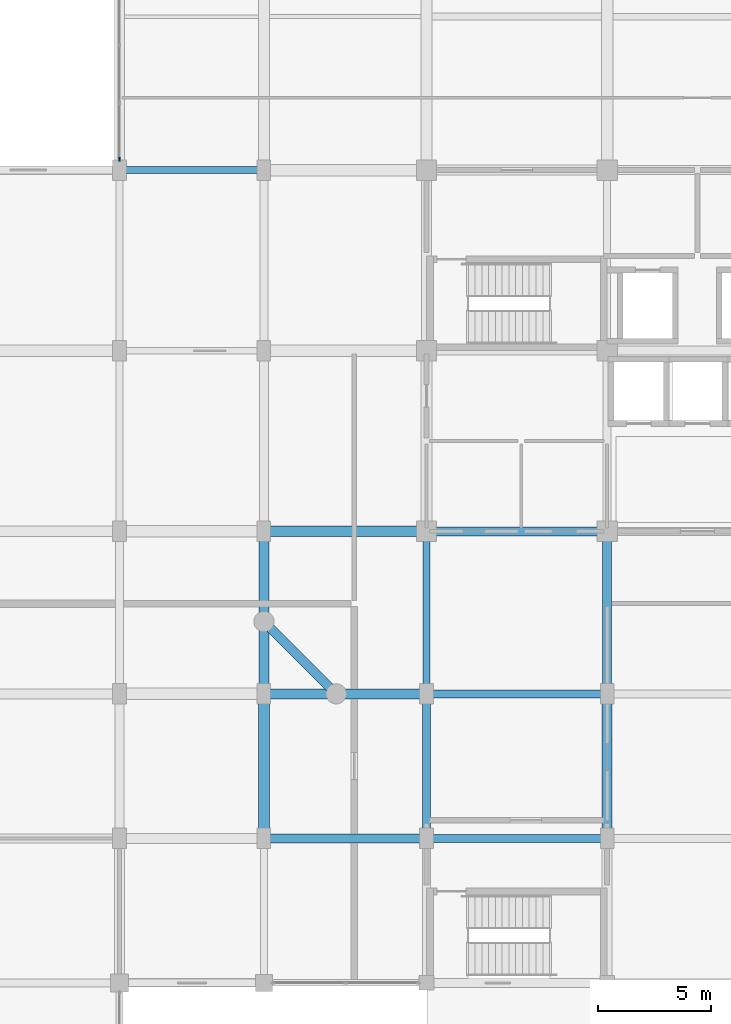
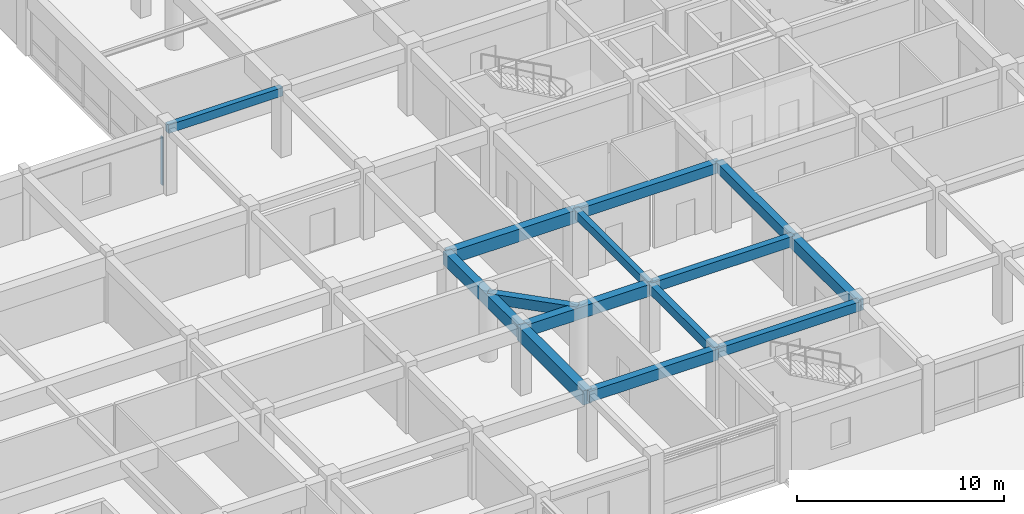
# One storey, part 12 of 35: 14 beams, 1 member, 1 element without a shape of its own.
"""IFC4 building model written with IfcOpenShell, lengths in metres."""

from ifc_helpers import new_model, si_unit, direction, frame, origin, origin_2d, place, context, subcontext, project, spatial, rectangle, extrude, material, material_profile, profile_set, type_object, element, aggregate, save


model = new_model("IFC4")

# Units and contexts
model_context = context("Model", 3, precision=1e-05, world=origin(), true_north=direction((0.0, 1.0)))
body_context = subcontext(model_context, "Body", "Model", "MODEL_VIEW")
ifc_project = project(units=[si_unit("LENGTHUNIT", "METRE"), si_unit("AREAUNIT", "SQUARE_METRE"), si_unit("VOLUMEUNIT", "CUBIC_METRE"), si_unit("PLANEANGLEUNIT", "RADIAN"), si_unit("MASSUNIT", "GRAM", prefix="KILO")], contexts=[model_context])

# Site, building, storey
site_placement = place(None, origin())
site = spatial("IfcSite", under=ifc_project, at=site_placement, CompositionType="ELEMENT")
building_placement = place(site_placement, origin())
building = spatial("IfcBuilding", under=site, at=building_placement, Name="Vellmiral Cinema and Media Centre", CompositionType="ELEMENT")
storey_placement = place(building_placement, frame((0.0, 0.0, 15.60009765625)))
storey = spatial("IfcBuildingStorey", under=building, at=storey_placement, Name="L03", CompositionType="ELEMENT", Elevation=15.60009765625)

# Beams
ifc_material_1 = material(Name="Concrete C40/50", Category="concrete")
ifc_material_profile_1 = material_profile(ifc_material_1, rectangle(XDim=0.300048828125, YDim=0.5, at=origin_2d()), Name="RC 300x500")
ifc_profile_set_1 = profile_set([ifc_material_profile_1], Name="Concrete C40/50")
beam_type_1 = type_object("IfcBeamType", Name="BM-RC-300x500", PredefinedType="BEAM", material=ifc_profile_set_1)
beam_1_placement = place(storey_placement, frame((110.39990234375, 95.199951171875, 3.64501953125), z_axis=(1.0, 0.0, 0.0), x_axis=(0.0, 1.0, 0.0)))
element("IfcBeam", 1, at=beam_1_placement, inside=storey, type_object=beam_type_1, Name="Grid Beam L03-X059", PredefinedType="BEAM", context=body_context, shape_type="SweptSolid", body=[
    extrude(rectangle(XDim=0.300048828125, YDim=0.5, at=origin_2d()), origin(), (0.0, 0.0, 1.0), 6.400146484375),
])
beam_2_placement = place(storey_placement, frame((124.0, 72.0, 3.64501953125), z_axis=(0.0, 1.0, 0.0), x_axis=(-1.0, 0.0, 0.0)))
element("IfcBeam", 2, at=beam_2_placement, inside=storey, type_object=beam_type_1, Name="Grid Beam L03-Y113", PredefinedType="BEAM", context=body_context, shape_type="SweptSolid", body=[
    extrude(rectangle(XDim=0.300048828125, YDim=0.5, at=origin_2d()), origin(), (0.0, 0.0, 1.0), 7.199951171875),
])
ifc_material_2 = material(Name="Concrete C40/50", Category="concrete")
ifc_material_profile_2 = material_profile(ifc_material_2, rectangle(XDim=0.35009765625, YDim=0.550048828125, at=origin_2d()), Name="RC 350x550")
ifc_profile_set_2 = profile_set([ifc_material_profile_2], Name="Concrete C40/50")
beam_type_2 = type_object("IfcBeamType", Name="BM-RC-350x550", PredefinedType="BEAM", material=ifc_profile_set_2)
beam_3_placement = place(storey_placement, frame((124.0, 65.60009765625, 3.619873046875), z_axis=(1.0, 0.0, 0.0), x_axis=(0.0, 1.0, 0.0)))
element("IfcBeam", 3, at=beam_3_placement, inside=storey, type_object=beam_type_2, Name="Grid Beam L03-X021", PredefinedType="BEAM", context=body_context, shape_type="SweptSolid", body=[
    extrude(rectangle(XDim=0.35009765625, YDim=0.550048828125, at=origin_2d()), origin(), (0.0, 0.0, 1.0), 8.0),
])
beam_4_placement = place(storey_placement, frame((124.0, 65.60009765625, 3.619873046875), z_axis=(0.0, 1.0, 0.0), x_axis=(-1.0, 0.0, 0.0)))
element("IfcBeam", 4, at=beam_4_placement, inside=storey, type_object=beam_type_2, Name="Grid Beam L03-Y112", PredefinedType="BEAM", context=body_context, shape_type="SweptSolid", body=[
    extrude(rectangle(XDim=0.35009765625, YDim=0.550048828125, at=origin_2d()), origin(), (0.0, 0.0, 1.0), 6.39990234375),
])
ifc_material_3 = material(Name="Concrete C40/50", Category="concrete")
ifc_material_profile_3 = material_profile(ifc_material_3, rectangle(XDim=0.35009765625, YDim=0.60009765625, at=origin_2d()), Name="RC 350x600")
ifc_profile_set_3 = profile_set([ifc_material_profile_3], Name="Concrete C40/50")
beam_type_3 = type_object("IfcBeamType", Name="BM-RC-350x600", PredefinedType="BEAM", material=ifc_profile_set_3)
beam_5_placement = place(storey_placement, frame((124.0, 72.0, 3.594970703125), z_axis=(1.0, 0.0, 0.0), x_axis=(0.0, 1.0, 0.0)))
element("IfcBeam", 5, at=beam_5_placement, inside=storey, type_object=beam_type_3, Name="Grid Beam L03-X031", PredefinedType="BEAM", context=body_context, shape_type="SweptSolid", body=[
    extrude(rectangle(XDim=0.35009765625, YDim=0.60009765625, at=origin_2d()), origin(), (0.0, 0.0, 1.0), 8.0),
])
ifc_material_4 = material(Name="Concrete C40/50", Category="concrete")
ifc_material_profile_4 = material_profile(ifc_material_4, rectangle(XDim=0.39990234375, YDim=0.60009765625, at=origin_2d()), Name="RC 400x600")
ifc_profile_set_4 = profile_set([ifc_material_profile_4], Name="Concrete C40/50")
beam_type_4 = type_object("IfcBeamType", Name="BM-RC-400x600", PredefinedType="BEAM", material=ifc_profile_set_4)
beam_6_placement = place(storey_placement, frame((124.0, 79.199951171875, 3.594970703125), z_axis=(1.0, 0.0, 0.0), x_axis=(0.0, 1.0, 0.0)))
element("IfcBeam", 6, at=beam_6_placement, inside=storey, type_object=beam_type_4, Name="Grid Beam L03-X041", PredefinedType="BEAM", context=body_context, shape_type="SweptSolid", body=[
    extrude(rectangle(XDim=0.39990234375, YDim=0.60009765625, at=origin_2d()), origin(), (0.0, 0.0, 1.0), 8.0),
])
beam_7_placement = place(storey_placement, frame((132.0, 72.0, 3.594970703125), z_axis=(0.0, 1.0, 0.0), x_axis=(-1.0, 0.0, 0.0)))
element("IfcBeam", 7, at=beam_7_placement, inside=storey, type_object=beam_type_4, Name="Grid Beam L03-Y120", PredefinedType="BEAM", context=body_context, shape_type="SweptSolid", body=[
    extrude(rectangle(XDim=0.39990234375, YDim=0.60009765625, at=origin_2d()), origin(), (0.0, 0.0, 1.0), 7.199951171875),
])
ifc_material_5 = material(Name="Concrete C40/50", Category="concrete")
ifc_material_profile_5 = material_profile(ifc_material_5, rectangle(XDim=0.39990234375, YDim=0.64990234375, at=origin_2d()), Name="RC 400x650")
ifc_profile_set_5 = profile_set([ifc_material_profile_5], Name="Concrete C40/50")
beam_type_5 = type_object("IfcBeamType", Name="BM-RC-400x650", PredefinedType="BEAM", material=ifc_profile_set_5)
beam_8_placement = place(storey_placement, frame((116.800048828125, 65.60009765625, 3.56982421875), z_axis=(1.0, 0.0, 0.0), x_axis=(0.0, 1.0, 0.0)))
element("IfcBeam", 8, at=beam_8_placement, inside=storey, type_object=beam_type_5, Name="Grid Beam L03-X020", PredefinedType="BEAM", context=body_context, shape_type="SweptSolid", body=[
    extrude(rectangle(XDim=0.39990234375, YDim=0.64990234375, at=origin_2d()), origin(), (0.0, 0.0, 1.0), 7.199951171875),
])
ifc_material_6 = material(Name="Concrete C40/50", Category="concrete")
ifc_material_profile_6 = material_profile(ifc_material_6, rectangle(XDim=0.449951171875, YDim=0.699951171875, at=origin_2d()), Name="RC 450x700")
ifc_profile_set_6 = profile_set([ifc_material_profile_6], Name="Concrete C40/50")
beam_type_6 = type_object("IfcBeamType", Name="BM-RC-450x700", PredefinedType="BEAM", material=ifc_profile_set_6)
beam_9_placement = place(storey_placement, frame((116.800048828125, 72.0, 3.544921875), z_axis=(1.0, 0.0, 0.0), x_axis=(0.0, 1.0, 0.0)))
element("IfcBeam", 9, at=beam_9_placement, inside=storey, type_object=beam_type_6, Name="Grid Beam L03-X030", PredefinedType="BEAM", context=body_context, shape_type="SweptSolid", body=[
    extrude(rectangle(XDim=0.449951171875, YDim=0.699951171875, at=origin_2d()), origin(), (0.0, 0.0, 1.0), 7.199951171875),
])
beam_10_placement = place(storey_placement, frame((132.0, 65.60009765625, 3.544921875), z_axis=(0.0, 1.0, 0.0), x_axis=(-1.0, 0.0, 0.0)))
element("IfcBeam", 10, at=beam_10_placement, inside=storey, type_object=beam_type_6, Name="Grid Beam L03-Y119", PredefinedType="BEAM", context=body_context, shape_type="SweptSolid", body=[
    extrude(rectangle(XDim=0.449951171875, YDim=0.699951171875, at=origin_2d()), origin(), (0.0, 0.0, 1.0), 6.39990234375),
])
ifc_material_7 = material(Name="Concrete C40/50", Category="concrete")
ifc_material_profile_7 = material_profile(ifc_material_7, rectangle(XDim=0.449951171875, YDim=0.75, at=origin_2d()), Name="RC 450x750")
ifc_profile_set_7 = profile_set([ifc_material_profile_7], Name="Concrete C40/50")
beam_type_7 = type_object("IfcBeamType", Name="BM-RC-450x750", PredefinedType="BEAM", material=ifc_profile_set_7)
for number, where, z_axis, x_axis, name in (
    (11, (116.800048828125, 79.199951171875, 3.52001953125), (1.0, 0.0, 0.0), (0.0, 1.0, 0.0), "Grid Beam L03-X040"),
    (12, (116.800048828125, 72.0, 3.52001953125), (0.0, 1.0, 0.0), (-1.0, 0.0, 0.0), "Grid Beam L03-Y106"),
):
    element("IfcBeam", number, at=place(storey_placement, frame(where, z_axis=z_axis, x_axis=x_axis)), inside=storey, type_object=beam_type_7, Name=name, PredefinedType="BEAM", context=body_context, shape_type="SweptSolid", body=[
        extrude(rectangle(XDim=0.449951171875, YDim=0.75, at=origin_2d()), origin(), (0.0, 0.0, 1.0), 7.199951171875),
    ])
ifc_material_8 = material(Name="Concrete C40/50", Category="concrete")
ifc_material_profile_8 = material_profile(ifc_material_8, rectangle(XDim=0.5, YDim=0.85009765625, at=origin_2d()), Name="RC 500x850")
ifc_profile_set_8 = profile_set([ifc_material_profile_8], Name="Concrete C40/50")
beam_type_8 = type_object("IfcBeamType", Name="BM-RC-500x850", PredefinedType="BEAM", material=ifc_profile_set_8)
beam_11_placement = place(storey_placement, frame((116.800048828125, 65.60009765625, 3.469970703125), z_axis=(0.0, 1.0, 0.0), x_axis=(-1.0, 0.0, 0.0)))
element("IfcBeam", 13, at=beam_11_placement, inside=storey, type_object=beam_type_8, Name="Grid Beam L03-Y105", PredefinedType="BEAM", context=body_context, shape_type="SweptSolid", body=[
    extrude(rectangle(XDim=0.5, YDim=0.85009765625, at=origin_2d()), origin(), (0.0, 0.0, 1.0), 6.39990234375),
])

# Curtain wall, member
ifc_material_9 = material(Name="Thermally Broken Aluminium and Triple Glazing", Category="aluminium")
curtain_wall_type = type_object("IfcCurtainWallType", Name="CW-LIB-BAY", PredefinedType="USERDEFINED", material=ifc_material_9)
curtain_wall_placement = place(storey_placement, origin())
curtain_wall = element("IfcCurtainWall", 14, at=curtain_wall_placement, inside=storey, type_object=curtain_wall_type, Name="Curtain Wall L03-B036", ObjectType="STICK CURTAIN WALL", PredefinedType="USERDEFINED")
ifc_material_10 = material(Name="Thermally Broken Anodised Aluminium", Category="aluminium")
ifc_material_profile_9 = material_profile(ifc_material_10, rectangle(XDim=0.070068359375, YDim=0.179931640625, at=origin_2d()), Name="MULL 70x180")
ifc_profile_set_9 = profile_set([ifc_material_profile_9], Name="Thermally Broken Anodised Aluminium")
member_type = type_object("IfcMemberType", Name="CWM-70x180", PredefinedType="MULLION", material=ifc_profile_set_9)
member_placement = place(storey_placement, frame((110.39990234375, 95.68505859375, 0.0), z_axis=(0.0, 0.0, 1.0), x_axis=(1.0, 0.0, 0.0)))
member = element("IfcMember", 15, at=member_placement, type_object=member_type, Name="CW-03 mullion 6", PredefinedType="MULLION", context=body_context, shape_type="SweptSolid", body=[
    extrude(rectangle(XDim=0.070068359375, YDim=0.179931640625, at=origin_2d()), origin(), (0.0, 0.0, 1.0), 2.8349609375),
])
aggregate(curtain_wall, [member])

# Beam
ifc_material_11 = material(Name="Concrete C40/50", Category="concrete")
ifc_material_profile_10 = material_profile(ifc_material_11, rectangle(XDim=0.39990234375, YDim=0.60009765625, at=origin_2d()), Name="RC 400x600")
ifc_profile_set_10 = profile_set([ifc_material_profile_10], Name="Concrete C40/50")
beam_type_9 = type_object("IfcBeamType", Name="SPD-RC-400x600", PredefinedType="SPANDREL", material=ifc_profile_set_10)
beam_12_placement = place(storey_placement, frame((116.800048828125, 75.199951171875, 3.594970703125), z_axis=(0.707106781187, -0.707106781187, 0.0), x_axis=(0.707106781187, 0.707106781187, 0.0)))
element("IfcBeam", 16, at=beam_12_placement, inside=storey, type_object=beam_type_9, Name="Xamfra Chamfer Spandrel Beam L03-151", PredefinedType="SPANDREL", context=body_context, shape_type="SweptSolid", body=[
    extrude(rectangle(XDim=0.39990234375, YDim=0.60009765625, at=origin_2d()), origin(), (0.0, 0.0, 1.0), 4.525390625),
])

save(model, "model.ifc")
